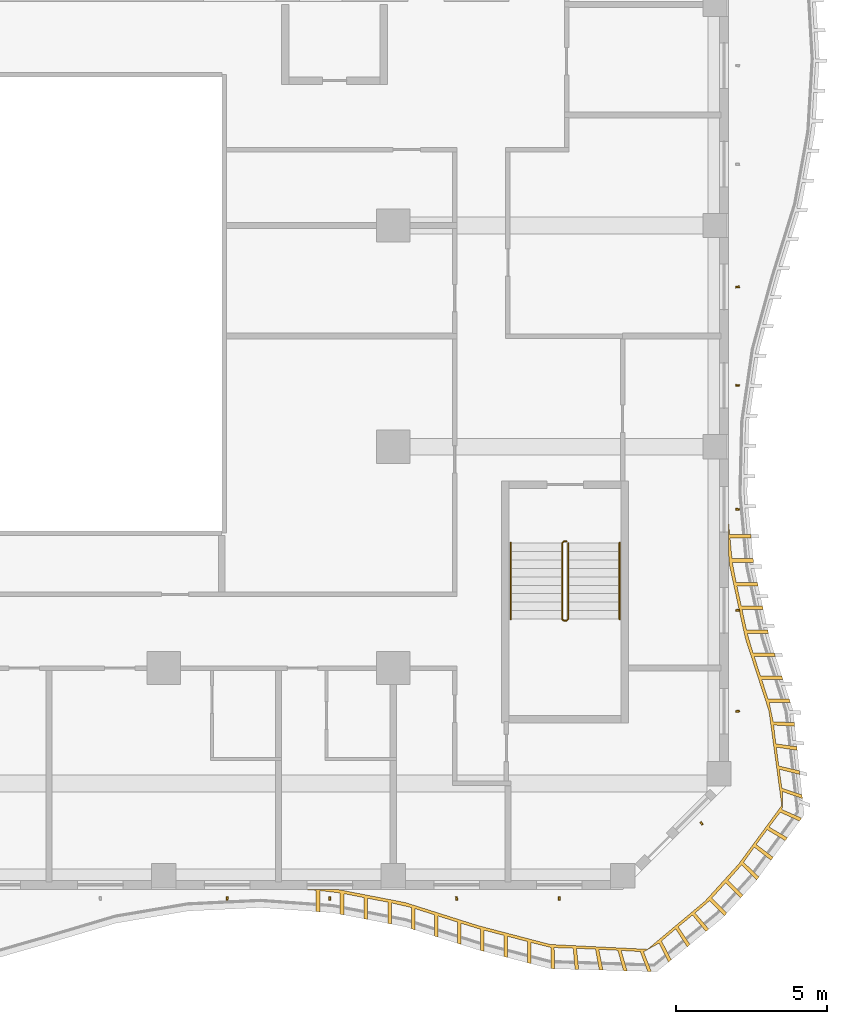
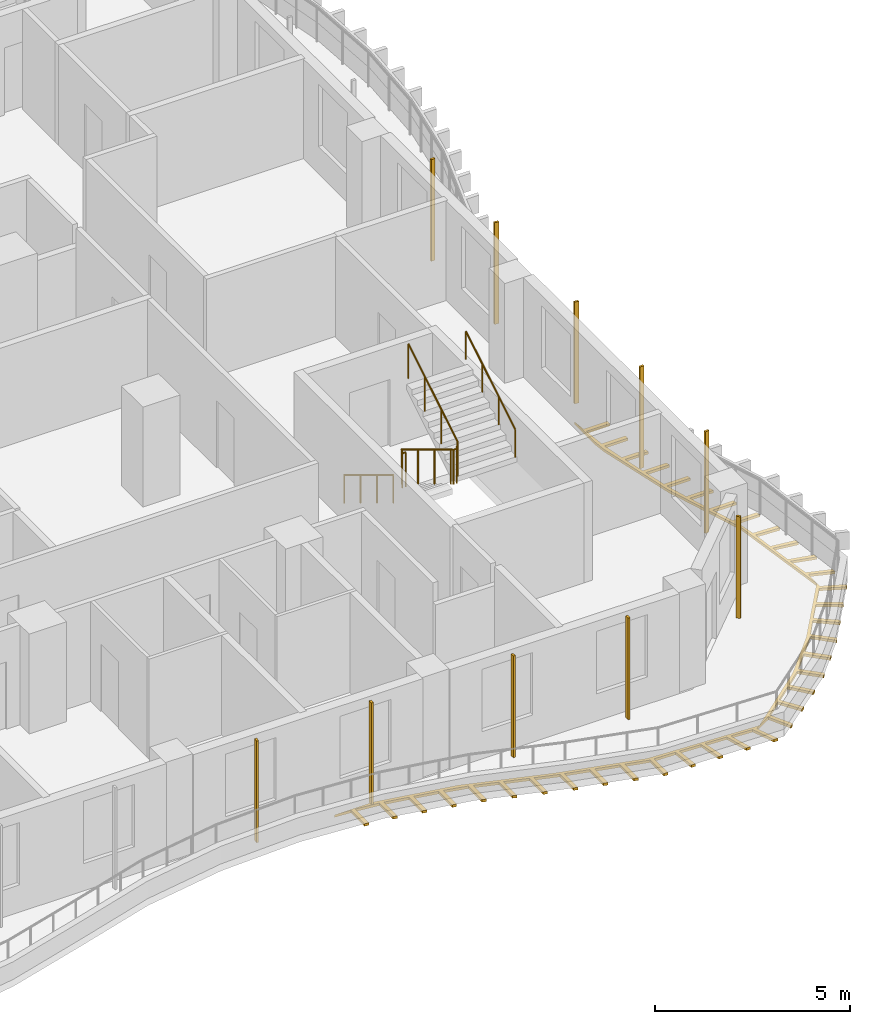
# One storey, part 17 of 22: 11 shading devices, 3 railings.
"""IFC4 building model written with IfcOpenShell, lengths in metres."""

from ifc_helpers import new_model, si_unit, direction, frame, origin, origin_2d, place, context, subcontext, project, spatial, polyline, rectangle, circle, outline, extrude, source, transform, mapped, material, layer, layer_set, material_profile, profile_set, type_object, element, save


model = new_model("IFC4")

# Units and contexts
model_context = context("Model", 3, precision=1e-05, world=origin(), true_north=direction((0.0, 1.0)))
body_context = subcontext(model_context, "Body", "Model", "MODEL_VIEW")
ifc_project = project(units=[si_unit("LENGTHUNIT", "METRE"), si_unit("AREAUNIT", "SQUARE_METRE"), si_unit("VOLUMEUNIT", "CUBIC_METRE"), si_unit("PLANEANGLEUNIT", "RADIAN"), si_unit("MASSUNIT", "GRAM", prefix="KILO")], contexts=[model_context])

# Site, building, storey
site_placement = place(None, origin())
site = spatial("IfcSite", under=ifc_project, at=site_placement, CompositionType="ELEMENT")
building_placement = place(site_placement, origin())
building = spatial("IfcBuilding", under=site, at=building_placement, Name="Kilnfold Tower and Market Hall", CompositionType="ELEMENT")
storey_placement = place(building_placement, frame((0.0, 0.0, 154.10009765625)))
storey = spatial("IfcBuildingStorey", under=building, at=storey_placement, Name="L35", CompositionType="ELEMENT", Elevation=154.10009765625)

# Railings
ifc_material_1 = material(Name="Stainless steel 316", Category="steel")
railing_type_1 = type_object("IfcRailingType", Name="CORE STAIR GUARD 1100", PredefinedType="GUARDRAIL", material=ifc_material_1)
railing_1_placement = place(storey_placement, frame((19.89990234375, -9.75, 0.0)))
element("IfcRailing", 1, at=railing_1_placement, inside=storey, type_object=railing_type_1, Name="L35 ST4 stair guard 1", PredefinedType="GUARDRAIL", context=body_context, shape_type="SweptSolid", body=[
    extrude(circle(Radius=0.02392578125, at=origin_2d()), frame((0.0, 0.0, 1.076171875), z_axis=(-1.0, 0.0, 0.0), x_axis=(0.0, -1.0, 0.0)), (0.0, 0.0, 1.0), 0.099853515625),
    extrude(circle(Radius=0.02392578125, at=origin_2d()), frame((-0.099853515625, 0.0, 1.076171875), z_axis=(-0.271895245746, -0.271895245746, 0.923117517265), x_axis=(0.707106781187, -0.707106781187, 0.0)), (0.0, 0.0, 1.0), 0.18408203125),
    extrude(circle(Radius=0.02392578125, at=origin_2d()), frame((-0.14990234375, -0.050048828125, 1.24609375), z_axis=(0.0, -0.85478489116, 0.518982456201), x_axis=(1.0, 0.0, 0.0)), (0.0, 0.0, 1.0), 2.9482421875),
    extrude(circle(Radius=0.02392578125, at=origin_2d()), frame((-0.14990234375, -2.570068359375, 2.77587890625), z_axis=(0.707106781187, -0.707106781187, 0.0), x_axis=(0.707106781187, 0.707106781187, 0.0)), (0.0, 0.0, 1.0), 0.07080078125),
    extrude(circle(Radius=0.02392578125, at=origin_2d()), frame((-0.099853515625, -2.6201171875, 2.77587890625), z_axis=(1.0, 0.0, 0.0), x_axis=(0.0, 1.0, 0.0)), (0.0, 0.0, 1.0), 0.099853515625),
    extrude(circle(Radius=0.02392578125, at=origin_2d()), frame((0.0, -2.6201171875, 2.77587890625), z_axis=(0.271895245746, 0.271895245746, 0.923117517265), x_axis=(-0.707106781187, 0.707106781187, 0.0)), (0.0, 0.0, 1.0), 0.18408203125),
    extrude(circle(Radius=0.02392578125, at=origin_2d()), frame((0.050048828125, -2.570068359375, 2.94580078125), z_axis=(0.0, 0.85478489116, 0.518982456201), x_axis=(-1.0, 0.0, 0.0)), (0.0, 0.0, 1.0), 2.9482421875),
    extrude(circle(Radius=0.02099609375, at=origin_2d()), origin(), (0.0, 0.0, 1.0), 1.052001953125),
    extrude(circle(Radius=0.02099609375, at=origin_2d()), frame((-0.099853515625, 0.0, 0.0)), (0.0, 0.0, 1.0), 1.052001953125),
    extrude(circle(Radius=0.02099609375, at=origin_2d()), frame((-0.14990234375, -0.050048828125, 0.169921875)), (0.0, 0.0, 1.0), 1.052001953125),
    extrude(circle(Radius=0.02099609375, at=origin_2d()), frame((-0.14990234375, -0.89013671875, 0.679931640625)), (0.0, 0.0, 1.0), 1.052001953125),
    extrude(circle(Radius=0.02099609375, at=origin_2d()), frame((-0.14990234375, -1.72998046875, 1.18994140625)), (0.0, 0.0, 1.0), 1.052001953125),
    extrude(circle(Radius=0.02099609375, at=origin_2d()), frame((-0.14990234375, -2.570068359375, 1.699951171875)), (0.0, 0.0, 1.0), 1.052001953125),
    extrude(circle(Radius=0.02099609375, at=origin_2d()), frame((-0.099853515625, -2.6201171875, 1.699951171875)), (0.0, 0.0, 1.0), 1.052001953125),
    extrude(circle(Radius=0.02099609375, at=origin_2d()), frame((0.0, -2.6201171875, 1.699951171875)), (0.0, 0.0, 1.0), 1.052001953125),
    extrude(circle(Radius=0.02099609375, at=origin_2d()), frame((0.050048828125, -2.570068359375, 1.869873046875)), (0.0, 0.0, 1.0), 1.052001953125),
    extrude(circle(Radius=0.02099609375, at=origin_2d()), frame((0.050048828125, -1.72998046875, 2.3798828125)), (0.0, 0.0, 1.0), 1.052001953125),
    extrude(circle(Radius=0.02099609375, at=origin_2d()), frame((0.050048828125, -0.89013671875, 2.889892578125)), (0.0, 0.0, 1.0), 1.052001953125),
    extrude(circle(Radius=0.02099609375, at=origin_2d()), frame((0.050048828125, -0.050048828125, 3.39990234375)), (0.0, 0.0, 1.0), 1.052001953125),
])
ifc_material_2 = material(Name="Stainless steel 316", Category="steel")
railing_type_2 = type_object("IfcRailingType", Name="CORE STAIR HANDRAIL 900", PredefinedType="HANDRAIL", material=ifc_material_2)
railing_2_placement = place(storey_placement, frame((18.050048828125, -9.800048828125, 0.169921875)))
element("IfcRailing", 2, at=railing_2_placement, inside=storey, type_object=railing_type_2, Name="L35 ST4 stair handrail 1", PredefinedType="HANDRAIL", context=body_context, shape_type="SweptSolid", body=[
    extrude(circle(Radius=0.02392578125, at=origin_2d()), frame((0.0, 0.0, 0.8759765625), z_axis=(0.0, -0.85478489116, 0.518982456201), x_axis=(1.0, 0.0, 0.0)), (0.0, 0.0, 1.0), 2.9482421875),
    extrude(circle(Radius=0.02099609375, at=origin_2d()), origin(), (0.0, 0.0, 1.0), 0.851806640625),
    extrude(circle(Radius=0.02099609375, at=origin_2d()), frame((0.0, -0.840087890625, 0.510009765625)), (0.0, 0.0, 1.0), 0.851806640625),
    extrude(circle(Radius=0.02099609375, at=origin_2d()), frame((0.0, -1.679931640625, 1.02001953125)), (0.0, 0.0, 1.0), 0.851806640625),
    extrude(circle(Radius=0.02099609375, at=origin_2d()), frame((0.0, -2.52001953125, 1.530029296875)), (0.0, 0.0, 1.0), 0.851806640625),
])
railing_3_placement = place(storey_placement, frame((21.64990234375, -12.320068359375, 1.869873046875)))
element("IfcRailing", 3, at=railing_3_placement, inside=storey, type_object=railing_type_2, Name="L35 ST4 stair handrail 2", PredefinedType="HANDRAIL", context=body_context, shape_type="SweptSolid", body=[
    extrude(circle(Radius=0.02392578125, at=origin_2d()), frame((0.0, 0.0, 0.8759765625), z_axis=(0.0, 0.85478489116, 0.518982456201), x_axis=(-1.0, 0.0, 0.0)), (0.0, 0.0, 1.0), 2.9482421875),
    extrude(circle(Radius=0.02099609375, at=origin_2d()), origin(), (0.0, 0.0, 1.0), 0.851806640625),
    extrude(circle(Radius=0.02099609375, at=origin_2d()), frame((0.0, 0.840087890625, 0.510009765625)), (0.0, 0.0, 1.0), 0.851806640625),
    extrude(circle(Radius=0.02099609375, at=origin_2d()), frame((0.0, 1.679931640625, 1.02001953125)), (0.0, 0.0, 1.0), 0.851806640625),
    extrude(circle(Radius=0.02099609375, at=origin_2d()), frame((0.0, 2.52001953125, 1.530029296875)), (0.0, 0.0, 1.0), 0.851806640625),
])

# Shading devices
ifc_material_3 = material(Name="Terracotta", Category="masonry")
ifc_material_profile = material_profile(ifc_material_3, rectangle(XDim=0.06005859375, YDim=0.1201171875, at=origin_2d()), Name="BAG 60x120")
ifc_profile_set = profile_set([ifc_material_profile], Name="Terracotta")
shading_device_type_1 = type_object("IfcShadingDeviceType", Name="BAGUETTE", PredefinedType="USERDEFINED", material=ifc_profile_set)
shared_shape_1 = source(origin(), body_context, "Body", "SweptSolid", [
    extrude(rectangle(XDim=0.06005859375, YDim=0.1201171875, at=origin_2d()), origin(), (0.0, 0.0, 1.0), 3.179931640625),
])
for number, where, z_axis, x_axis, name in (
    (4, (8.67919921875, -21.550048828125, 0.0), (0.0, 0.0, 1.0), (0.990670936719, -0.13627580541, 0.0), "Terracotta baguette L35 S"),
    (5, (12.07080078125, -21.550048828125, 0.0), (0.0, 0.0, 1.0), (0.999386311261, -0.035028572098, 0.0), "Terracotta baguette L35 S"),
    (6, (16.262451171875, -21.550048828125, 0.0), (0.0, 0.0, 1.0), (0.990299378114, 0.138950141081, 0.0), "Terracotta baguette L35 S"),
    (7, (19.654296875, -21.550048828125, 0.0), (0.0, 0.0, 1.0), (0.99999935253, -0.001137954427, 0.0), "Terracotta baguette L35 S"),
    (8, (24.35498046875, -19.0693359375, 0.0), (0.0, 0.0, 1.0), (0.765974882321, 0.642870499909, 0.0), "Terracotta baguette L35 SE"),
    (9, (25.550048828125, -15.364013671875, 0.0), (0.0, 0.0, 1.0), (-0.124079479466, 0.992272282579, 0.0), "Terracotta baguette L35 E"),
    (10, (25.550048828125, -12.0283203125, 0.0), (0.0, 0.0, 1.0), (-0.072338255453, 0.997380156609, 0.0), "Terracotta baguette L35 E"),
    (11, (25.550048828125, -8.69287109375, 0.0), (0.0, 0.0, 1.0), (0.113482401009, 0.993540006573, 0.0), "Terracotta baguette L35 E"),
    (12, (25.550048828125, -4.596923828125, 0.0), (0.0, 0.0, 1.0), (0.048053091116, 0.998844782954, 0.0), "Terracotta baguette L35 E"),
    (13, (25.550048828125, -1.3408203125, 0.0), (0.0, 0.0, 1.0), (-0.124732356933, 0.992190424835, 0.0), "Terracotta baguette L35 E"),
):
    element("IfcShadingDevice", number, at=place(storey_placement, frame(where, z_axis=z_axis, x_axis=x_axis)), inside=storey, type_object=shading_device_type_1, Name=name, ObjectType="BAGUETTE", PredefinedType="USERDEFINED", context=body_context, shape_type="MappedRepresentation", body=[
        mapped(shared_shape_1, transform((0.0, 0.0, 0.0))),
    ])
ifc_material_4 = material(Name="Bronze anodised aluminium", Category="aluminium")
ifc_layer = layer(ifc_material_4, 0.080078125)
ifc_layer_set = layer_set([ifc_layer], Name="Bronze anodised aluminium")
shading_device_type_2 = type_object("IfcShadingDeviceType", Name="BRONZE SLAT SOFFIT 80", PredefinedType="USERDEFINED", material=ifc_layer_set)
shared_shape_2 = source(origin(), body_context, "Body", "SweptSolid", [
    extrude(outline(polyline([(14.56591796875, -21.6865234375), (16.96044921875, -22.44580078125), (19.355224609375, -23.0712890625), (22.57080078125, -23.231201171875), (24.471923828125, -21.638427734375), (25.581787109375, -20.415283203125), (27.00732421875, -18.477783203125), (26.58349609375, -15.355224609375), (25.80419921875, -12.96044921875), (25.284912109375, -10.56591796875), (25.25, -10.19287109375), (25.25, -9.12158203125), (25.287841796875, -9.526611328125), (25.98779296875, -9.526611328125), (25.9990234375, -9.64599609375), (25.299072265625, -9.64599609375), (25.3623046875, -10.3232421875), (26.062255859375, -10.3232421875), (26.0732421875, -10.442626953125), (25.373291015625, -10.442626953125), (25.502685546875, -11.109619140625), (26.20263671875, -11.109619140625), (26.22802734375, -11.226806640625), (25.528076171875, -11.226806640625), (25.672119140625, -11.891357421875), (26.372314453125, -11.891357421875), (26.397705078125, -12.008544921875), (25.69775390625, -12.008544921875), (25.841796875, -12.673095703125), (26.541748046875, -12.673095703125), (26.567138671875, -12.790283203125), (25.8671875, -12.790283203125), (26.060791015625, -13.441650390625), (26.7607421875, -13.441650390625), (26.7978515625, -13.5556640625), (26.097900390625, -13.5556640625), (26.308349609375, -14.202392578125), (27.00830078125, -14.202392578125), (27.04541015625, -14.31640625), (26.345458984375, -14.31640625), (26.555908203125, -14.963134765625), (27.255859375, -14.963134765625), (27.29296875, -15.0771484375), (26.593017578125, -15.0771484375), (26.724853515625, -15.710205078125), (27.42431640625, -15.74072265625), (27.43701171875, -15.860107421875), (26.738037109375, -15.8203125), (26.814697265625, -16.4423828125), (27.508544921875, -16.5361328125), (27.52099609375, -16.655517578125), (26.828857421875, -16.552001953125), (26.91064453125, -17.17431640625), (27.5927734375, -17.331787109375), (27.605224609375, -17.451171875), (26.925537109375, -17.2841796875), (27.01220703125, -17.908203125), (27.677001953125, -18.127197265625), (27.689453125, -18.24658203125), (27.02783203125, -18.0185546875), (27.02294921875, -18.6162109375), (27.664306640625, -18.89697265625), (27.593505859375, -18.993896484375), (26.957275390625, -18.702392578125), (26.588623046875, -19.191162109375), (27.193359375, -19.543701171875), (27.122802734375, -19.640869140625), (26.5244140625, -19.277587890625), (26.1630859375, -19.77001953125), (26.72265625, -20.190673828125), (26.652099609375, -20.28759765625), (26.10009765625, -19.857177734375), (25.74462890625, -20.35498046875), (26.251953125, -20.83740234375), (26.181396484375, -20.934326171875), (25.682373046875, -20.443603515625), (25.234130859375, -20.947021484375), (25.729248046875, -21.44189453125), (25.648681640625, -21.53076171875), (25.153564453125, -21.035888671875), (24.69677734375, -21.53955078125), (25.191650390625, -22.034423828125), (25.111083984375, -22.123291015625), (24.615966796875, -21.62841796875), (24.1416015625, -22.03271484375), (24.595703125, -22.5654296875), (24.502685546875, -22.641357421875), (24.0576171875, -22.10107421875), (23.585205078125, -22.490966796875), (23.976318359375, -23.07177734375), (23.88330078125, -23.147705078125), (23.50244140625, -22.560302734375), (23.0341796875, -22.956787109375), (23.356689453125, -23.577880859375), (23.263916015625, -23.65380859375), (22.951904296875, -23.02734375), (22.441650390625, -23.3134765625), (22.69677734375, -23.965087890625), (22.576904296875, -23.9619140625), (22.330322265625, -23.306640625), (21.70068359375, -23.27099609375), (21.897216796875, -23.94287109375), (21.777099609375, -23.939453125), (21.58984375, -23.264892578125), (20.96240234375, -23.2333984375), (21.097412109375, -23.92041015625), (20.9775390625, -23.9169921875), (20.851806640625, -23.228271484375), (20.22509765625, -23.20166015625), (20.2978515625, -23.897705078125), (20.177734375, -23.894287109375), (20.114501953125, -23.197265625), (19.4873046875, -23.17529296875), (19.498046875, -23.875244140625), (19.378173828125, -23.871826171875), (19.37646484375, -23.171875), (18.719482421875, -23.005126953125), (18.719482421875, -23.705078125), (18.603515625, -23.6748046875), (18.603515625, -22.974853515625), (17.9453125, -22.802978515625), (17.9453125, -23.503173828125), (17.829345703125, -23.47265625), (17.829345703125, -22.772705078125), (17.17138671875, -22.600830078125), (17.17138671875, -23.30078125), (17.055419921875, -23.2705078125), (17.055419921875, -22.570556640625), (16.40576171875, -22.369873046875), (16.40576171875, -23.06982421875), (16.291259765625, -23.03369140625), (16.291259765625, -22.33349609375), (15.64306640625, -22.128173828125), (15.64306640625, -22.828125), (15.52880859375, -22.791748046875), (15.52880859375, -22.091796875), (14.880615234375, -21.88623046875), (14.880615234375, -22.586181640625), (14.76611328125, -22.550048828125), (14.76611328125, -21.85009765625), (14.1044921875, -21.697021484375), (14.1044921875, -22.397216796875), (13.98681640625, -22.374267578125), (13.98681640625, -21.67431640625), (13.319091796875, -21.544921875), (13.319091796875, -22.2451171875), (13.201416015625, -22.22216796875), (13.201416015625, -21.522216796875), (12.53369140625, -21.392822265625), (12.53369140625, -22.0927734375), (12.416015625, -22.06982421875), (12.416015625, -21.369873046875), (11.74169921875, -21.291748046875), (11.74169921875, -21.99169921875), (11.621826171875, -21.9833984375), (11.621826171875, -21.283203125), (11.156494140625, -21.25), (12.31298828125, -21.25), (14.56591796875, -21.6865234375)])), origin(), (0.0, 0.0, 1.0), 0.079833984375),
])
shading_device_placement = place(storey_placement, frame((0.0, 0.0, -0.300048828125)))
element("IfcShadingDevice", 14, at=shading_device_placement, inside=storey, type_object=shading_device_type_2, Name="Balcony soffit slats L35", ObjectType="SLAT", PredefinedType="USERDEFINED", context=body_context, shape_type="MappedRepresentation", body=[
    mapped(shared_shape_2, transform((0.0, 0.0, 0.0))),
])

save(model, "model.ifc")
